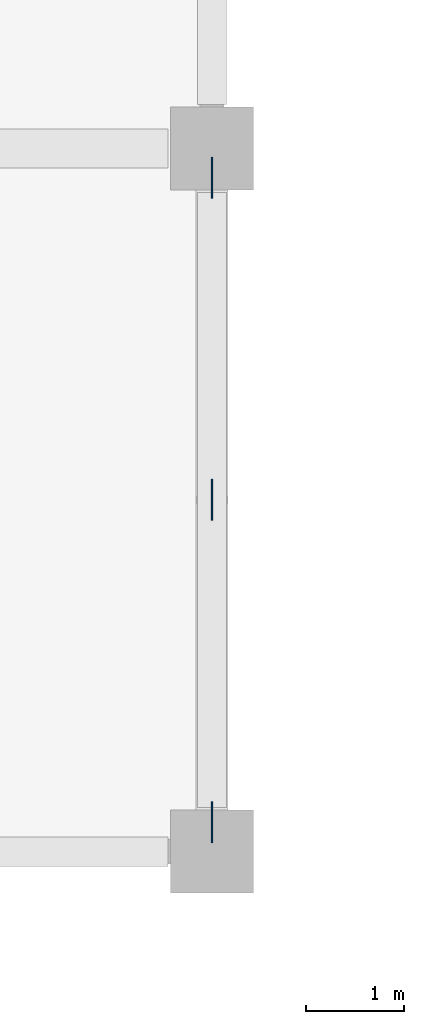
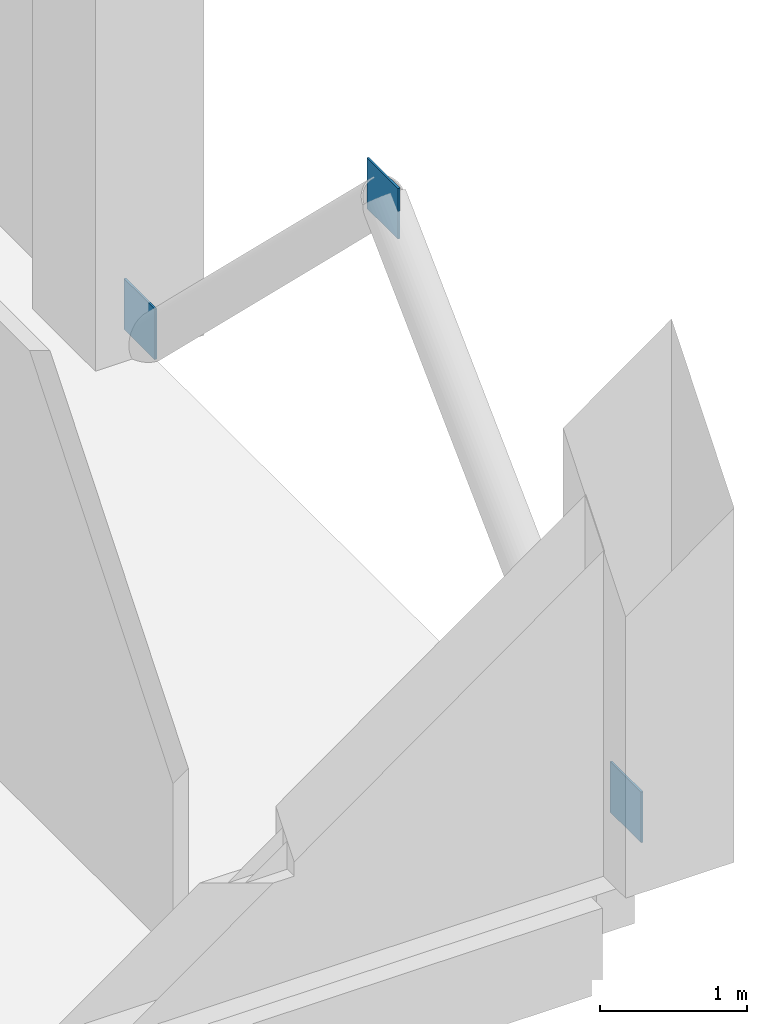
# One storey, part 74 of 107: 3 plates.
"""IFC4 building model written with IfcOpenShell, lengths in metres."""

import ifcopenshell
import ifcopenshell.guid

model = None  # the IFC model being written
_history = None  # IfcOwnerHistory: only IFC2X3 demands one
_inside = {}  # id of a spatial element -> (the spatial element, [elements in it])
_under = {}  # id of a project, library or spatial element -> (it, [spatial elements below it])
_declared = {}  # id of a project -> (the project, [libraries it declares])
_typed = {}  # id of a type object -> (the type object, [elements of that type])
_made_of = {}  # id of a material, layer set ... -> (it, [elements and type objects made of it])


def new_model(schema):
    """Start an empty IFC model of exactly this schema.

    Asked for "IFC4X3", IfcOpenShell would pick the latest addendum, in which some entities
    have other attributes; the version numbers below select the first issue.
    IFC2X3 requires an IfcOwnerHistory on every rooted entity: one is made here for all.
    """
    global model, _history
    if schema == "IFC4X3":
        model = ifcopenshell.file(schema_version=(4, 3, 0, 0))
    else:
        model = ifcopenshell.file(schema=schema)
    _inside.clear()
    _under.clear()
    _declared.clear()
    _typed.clear()
    _made_of.clear()
    _history = None
    if model.schema == "IFC2X3":
        org = make("IfcOrganization", Name="unknown")
        user = make(
            "IfcPersonAndOrganization",
            ThePerson=make("IfcPerson", FamilyName="unknown"),
            TheOrganization=org,
        )
        app = make(
            "IfcApplication",
            ApplicationDeveloper=org,
            Version="unknown",
            ApplicationFullName="unknown",
            ApplicationIdentifier="unknown",
        )
        _history = make(
            "IfcOwnerHistory",
            OwningUser=user,
            OwningApplication=app,
            ChangeAction="ADDED",
            CreationDate=0,
        )
    return model


def make(cls, **values):
    """One entity of the class cls with the attributes given. An attribute that is None is left unset."""
    return model.create_entity(
        cls, **{name: value for name, value in values.items() if value is not None}
    )


def rooted(cls, **values):
    """An entity with a GlobalId (a new one), such as an element, a storey or a relation."""
    return make(cls, GlobalId=ifcopenshell.guid.new(), OwnerHistory=_history, **values)


def si_unit(unit_type, name, prefix=None):
    """IfcSIUnit, for example si_unit("LENGTHUNIT", "METRE", prefix="MILLI")."""
    return make("IfcSIUnit", UnitType=unit_type, Prefix=prefix, Name=name)


def assignment(units):
    """IfcUnitAssignment: the units of a project."""
    return None if units is None else make("IfcUnitAssignment", Units=units)


def point(xyz):
    """IfcCartesianPoint."""
    return None if xyz is None else make("IfcCartesianPoint", Coordinates=xyz)


def direction(xyz):
    """IfcDirection."""
    return None if xyz is None else make("IfcDirection", DirectionRatios=xyz)


def frame(location, z_axis=None, x_axis=None):
    """IfcAxis2Placement3D, a coordinate frame: its origin and axes. An axis left out is left unset."""
    return make(
        "IfcAxis2Placement3D",
        Location=point(location),
        Axis=direction(z_axis),
        RefDirection=direction(x_axis),
    )


def frame_2d(location, x_axis=None):
    """IfcAxis2Placement2D, a coordinate frame in the plane: its origin and x axis."""
    return make(
        "IfcAxis2Placement2D", Location=point(location), RefDirection=direction(x_axis)
    )


def origin():
    """The frame at (0, 0, 0) with its axes left unset."""
    return frame((0.0, 0.0, 0.0))


def origin_2d():
    """The frame at (0, 0) in the plane with its x axis left unset."""
    return frame_2d((0.0, 0.0))


def place(relative_to, where):
    """IfcLocalPlacement: puts the frame where relative to a parent placement (None: the world)."""
    return make(
        "IfcLocalPlacement", PlacementRelTo=relative_to, RelativePlacement=where
    )


def context(
    kind, dimensions, precision=None, world=None, true_north=None, identifier=None
):
    """IfcGeometricRepresentationContext, for example the 3D "Model" context."""
    return make(
        "IfcGeometricRepresentationContext",
        ContextIdentifier=identifier,
        ContextType=kind,
        CoordinateSpaceDimension=dimensions,
        Precision=precision,
        WorldCoordinateSystem=world,
        TrueNorth=true_north,
    )


def subcontext(parent, identifier, kind, view, scale=None):
    """IfcGeometricRepresentationSubContext, for example "Body" below "Model"."""
    return make(
        "IfcGeometricRepresentationSubContext",
        ContextIdentifier=identifier,
        ContextType=kind,
        ParentContext=parent,
        TargetScale=scale,
        TargetView=view,
    )


def project(units=None, contexts=None):
    """IfcProject with its units and contexts."""
    return rooted(
        "IfcProject",
        Name="project",
        RepresentationContexts=contexts,
        UnitsInContext=assignment(units),
    )


def spatial(cls, under=None, at=None, **own):
    """A site, building, storey or space (cls), placed at a placement, below another one or the project."""
    s = rooted(cls, ObjectPlacement=at, **own)
    if under is not None:
        _under.setdefault(under.id(), (under, []))[1].append(s)
    return s


def profile(cls, at=None, kind="AREA", **sizes):
    """A parametric profile (cls). Its sizes go by their IFC names, for example OverallWidth=200.0."""
    return make(cls, ProfileType=kind, Position=at, **sizes)


def rectangle(**sizes):
    """IfcRectangleProfileDef."""
    return profile("IfcRectangleProfileDef", **sizes)


def extrude(swept, where, along, depth):
    """IfcExtrudedAreaSolid: the profile swept, set in the frame where, extruded along a direction by depth."""
    return make(
        "IfcExtrudedAreaSolid",
        SweptArea=swept,
        Position=where,
        ExtrudedDirection=direction(along),
        Depth=depth,
    )


def shape(context_of_items, identifier, shape_type, items):
    """IfcShapeRepresentation: the items that make up one representation, for example the "Body"."""
    return make(
        "IfcShapeRepresentation",
        ContextOfItems=context_of_items,
        RepresentationIdentifier=identifier,
        RepresentationType=shape_type,
        Items=items,
    )


def material(Name=None, Category=None):
    """IfcMaterial."""
    return make("IfcMaterial", Name=Name, Category=Category)


def layer(
    of_material, thickness, ventilated=None, Name=None, Category=None, Priority=None
):
    """IfcMaterialLayer: one layer of a wall or slab, of a material (None: an air gap)."""
    return make(
        "IfcMaterialLayer",
        Material=of_material,
        LayerThickness=thickness,
        IsVentilated=ventilated,
        Name=Name,
        Category=Category,
        Priority=Priority,
    )


def layer_set(layers, Name=None):
    """IfcMaterialLayerSet."""
    return make("IfcMaterialLayerSet", MaterialLayers=layers, LayerSetName=Name)


def made_of(thing, what):
    """Note that an element or type object is made of a material, layer set ...; save() writes the relation."""
    if what is not None:
        _made_of.setdefault(what.id(), (what, []))[1].append(thing)
    return thing


def type_object(cls, material=None, **own):
    """A type object (cls), such as IfcWallType, which elements share."""
    return made_of(rooted(cls, **own), material)


def element(
    cls,
    number,
    at=None,
    inside=None,
    cuts=None,
    type_object=None,
    material=None,
    context=None,
    identifier="Body",
    shape_type=None,
    held_by="IfcProductDefinitionShape",
    body=None,
    shapes=None,
    **own,
):
    """One element of the class cls, such as IfcWall. Its Tag is "e" and its number.

    at: its placement. inside: the storey or other place that contains it. cuts: it is an
    opening in that element (IfcRelVoidsElement). A single representation is given by context,
    identifier, shape_type and body (its items); several are given by shapes. held_by: the class
    of the entity that holds the representations. save() writes the other relations.
    """
    e = rooted(cls, Tag="e%d" % number, ObjectPlacement=at, **own)
    if body is not None:
        shapes = [shape(context, identifier, shape_type, body)]
    if shapes is not None:
        e.Representation = make(held_by, Representations=shapes)
    if inside is not None:
        _inside.setdefault(inside.id(), (inside, []))[1].append(e)
    if cuts is not None:
        rooted(
            "IfcRelVoidsElement", RelatingBuildingElement=cuts, RelatedOpeningElement=e
        )
    if type_object is not None:
        _typed.setdefault(type_object.id(), (type_object, []))[1].append(e)
    return made_of(e, material)


def aggregate(whole, parts):
    """IfcRelAggregates: a whole, such as a stair, and the parts it consists of."""
    return rooted("IfcRelAggregates", RelatingObject=whole, RelatedObjects=parts)


def save(model, path):
    """Write the relations noted so far, then the file.

    IfcRelAggregates (storeys below a building ...), IfcRelContainedInSpatialStructure (elements
    in a storey), IfcRelDefinesByType, IfcRelAssociatesMaterial and IfcRelDeclares: one each for
    every whole, place, type object, material and project.
    """
    for whole, parts in _under.values():
        aggregate(whole, parts)
    for where, things in _inside.values():
        rooted(
            "IfcRelContainedInSpatialStructure",
            RelatedElements=things,
            RelatingStructure=where,
        )
    for kind, things in _typed.values():
        rooted("IfcRelDefinesByType", RelatedObjects=things, RelatingType=kind)
    for what, things in _made_of.values():
        rooted("IfcRelAssociatesMaterial", RelatedObjects=things, RelatingMaterial=what)
    for by, libraries in _declared.values():
        rooted("IfcRelDeclares", RelatingContext=by, RelatedDefinitions=libraries)
    model.write(path)


model = new_model("IFC4")

# Units and contexts
model_context = context("Model", 3, precision=1e-05, world=origin(), true_north=direction((0.0, 1.0)))
body_context = subcontext(model_context, "Body", "Model", "MODEL_VIEW")
ifc_project = project(units=[si_unit("LENGTHUNIT", "METRE"), si_unit("AREAUNIT", "SQUARE_METRE"), si_unit("VOLUMEUNIT", "CUBIC_METRE"), si_unit("PLANEANGLEUNIT", "RADIAN"), si_unit("MASSUNIT", "GRAM", prefix="KILO")], contexts=[model_context])

# Site, building, storey
site_placement = place(None, origin())
site = spatial("IfcSite", under=ifc_project, at=site_placement, CompositionType="ELEMENT")
building_placement = place(site_placement, origin())
building = spatial("IfcBuilding", under=site, at=building_placement, Name="Kangsadwip Square Police Headquarters", CompositionType="ELEMENT")
storey_placement = place(building_placement, frame((0.0, 0.0, 5.39990234375)))
storey = spatial("IfcBuildingStorey", under=building, at=storey_placement, Name="L01", CompositionType="ELEMENT", Elevation=5.39990234375)

# Plates
ifc_material = material(Name="Structural steel IS 2062 E350 (Grade 350, 350 MPa)", Category="steel")
ifc_layer = layer(ifc_material, 0.01611328125)
ifc_layer_set = layer_set([ifc_layer], Name="Structural steel IS 2062 E350 (Grade 350, 350 MPa)")
plate_type = type_object("IfcPlateType", Name="TrussGussetPlate16", PredefinedType="USERDEFINED", material=ifc_layer_set)
for number, where, z_axis, x_axis, name in (
    (1, (21.60009765625, 39.60009765625, 3.000244140625), (0.0, 0.0, 1.0), (0.0, 1.0, 0.0), "Truss Node Gusset Plate GP-L01-0130"),
    (2, (21.60009765625, 36.300048828125, 0.000244140625), (0.0, 0.0, 1.0), (0.0, 1.0, 0.0), "Truss Node Gusset Plate GP-L01-0131"),
    (3, (21.60009765625, 42.89990234375, 0.000244140625), (0.0, 0.0, 1.0), (0.0, 1.0, 0.0), "Truss Node Gusset Plate GP-L01-0132"),
):
    element("IfcPlate", number, at=place(storey_placement, frame(where, z_axis=z_axis, x_axis=x_axis)), inside=storey, type_object=plate_type, Name=name, ObjectType="GUSSET_PLATE", PredefinedType="USERDEFINED", context=body_context, shape_type="SweptSolid", body=[
        extrude(rectangle(XDim=0.419921875, YDim=0.01611328125, at=origin_2d()), origin(), (0.0, 0.0, 1.0), 0.419921875),
    ])

save(model, "model.ifc")
